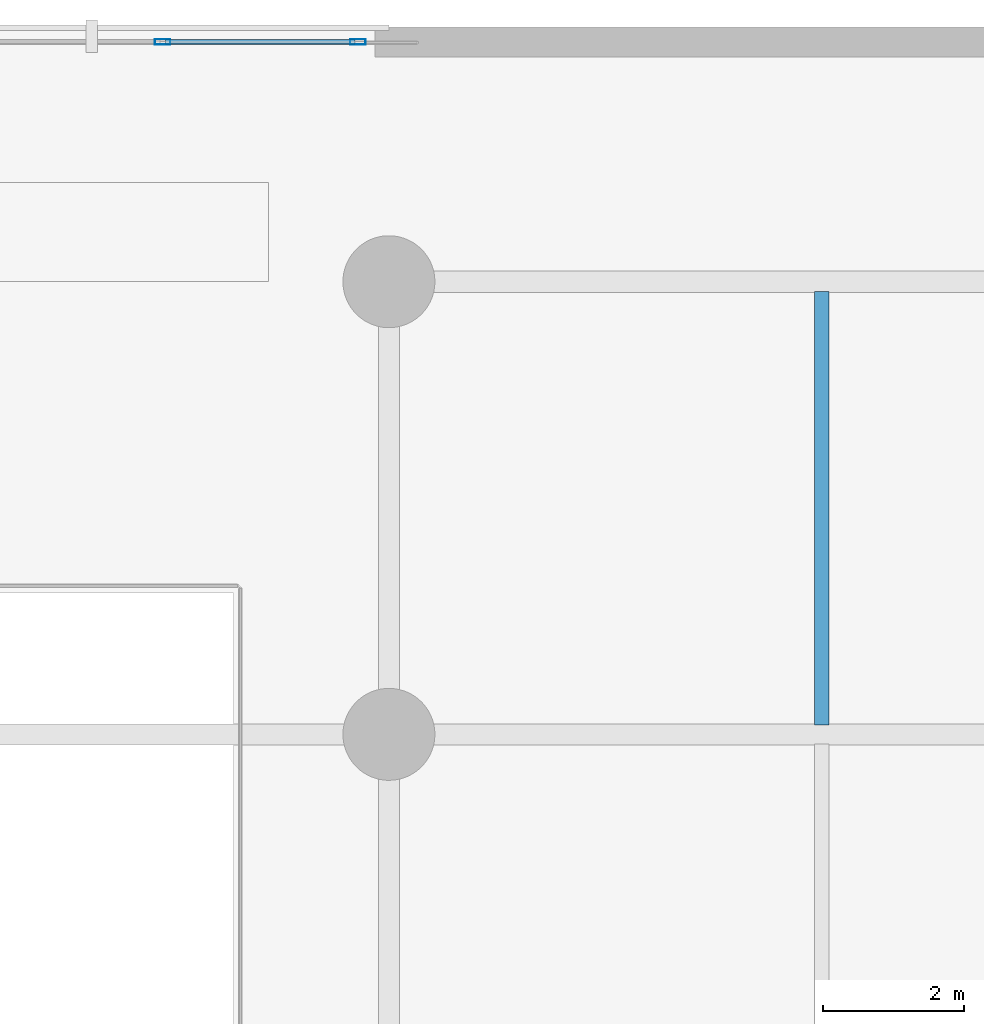
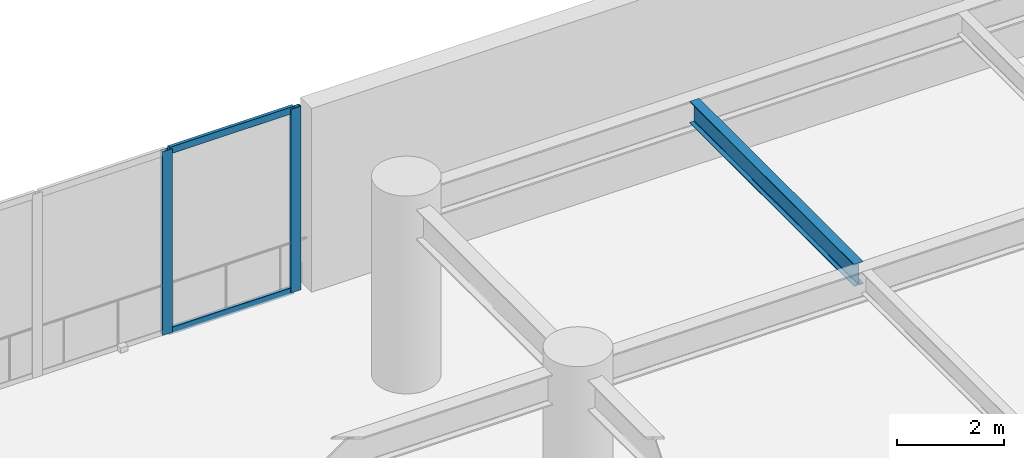
# One storey, part 9 of 32: 4 members, 1 beam, 1 element without a shape of its own.
"""IFC4 building model written with IfcOpenShell, lengths in metres."""

from ifc_helpers import new_model, si_unit, direction, frame, origin, origin_2d, place, context, subcontext, project, spatial, hollow_rectangle, i_section, extrude, material, material_profile, profile_set, type_object, element, aggregate, save


model = new_model("IFC4")

# Units and contexts
model_context = context("Model", 3, precision=1e-05, world=origin(), true_north=direction((0.0, 1.0)))
body_context = subcontext(model_context, "Body", "Model", "MODEL_VIEW")
ifc_project = project(units=[si_unit("LENGTHUNIT", "METRE"), si_unit("AREAUNIT", "SQUARE_METRE"), si_unit("VOLUMEUNIT", "CUBIC_METRE"), si_unit("PLANEANGLEUNIT", "RADIAN"), si_unit("MASSUNIT", "GRAM", prefix="KILO")], contexts=[model_context])

# Site, building, storey
site_placement = place(None, origin())
site = spatial("IfcSite", under=ifc_project, at=site_placement, CompositionType="ELEMENT")
building_placement = place(site_placement, origin())
building = spatial("IfcBuilding", under=site, at=building_placement, Name="Narakoshi Arena Tower", CompositionType="ELEMENT")
storey_placement = place(building_placement, frame((0.0, 0.0, 4.5)))
storey = spatial("IfcBuildingStorey", under=building, at=storey_placement, Name="L01", CompositionType="ELEMENT", Elevation=4.5)

# Beam
ifc_material_1 = material(Name="Structural steel S355J2", Category="steel")
ifc_material_profile_1 = material_profile(ifc_material_1, i_section(OverallWidth=0.199951171875, OverallDepth=0.5, WebThickness=0.01025390625, FlangeThickness=0.01611328125, FilletRadius=0.02099609375, at=origin_2d()), Name="IPE500")
ifc_profile_set_1 = profile_set([ifc_material_profile_1], Name="Structural steel S355J2")
beam_type = type_object("IfcBeamType", Name="BM-SEC-500", PredefinedType="JOIST", material=ifc_profile_set_1)
beam_placement = place(storey_placement, frame((76.320068359375, 86.135009765625, 3.929931640625), z_axis=(0.0, 1.0, 0.0), x_axis=(-1.0, 0.0, 0.0)))
element("IfcBeam", 1, at=beam_placement, inside=storey, type_object=beam_type, Name="L01 Podium Composite Floor Joist 025", PredefinedType="JOIST", context=body_context, shape_type="SweptSolid", body=[
    extrude(i_section(OverallWidth=0.199951171875, OverallDepth=0.5, WebThickness=0.01025390625, FlangeThickness=0.01611328125, FilletRadius=0.02099609375, at=origin_2d()), origin(), (0.0, 0.0, 1.0), 6.1298828125),
])

# Curtain wall, members
ifc_material_2 = material(Name="Anodised bronze aluminium 6063-T6", Category="aluminium")
curtain_wall_type = type_object("IfcCurtainWallType", Name="CW-POD-CONC", PredefinedType="NOTDEFINED", material=ifc_material_2)
curtain_wall_placement = place(storey_placement, origin())
curtain_wall = element("IfcCurtainWall", 2, at=curtain_wall_placement, inside=storey, type_object=curtain_wall_type, Name="L01 Street Concourse Curtain Wall CN1", PredefinedType="NOTDEFINED")
ifc_material_profile_2 = material_profile(ifc_material_2, hollow_rectangle(XDim=0.080078125, YDim=0.219970703125, WallThickness=0.0048828125, OuterFilletRadius=0.006103515625, at=origin_2d()), Name="MUL220x80x5")
ifc_profile_set_2 = profile_set([ifc_material_profile_2], Name="Anodised bronze aluminium 6063-T6")
member_type_1 = type_object("IfcMemberType", Name="MEM-MUL-220", PredefinedType="MULLION", material=ifc_profile_set_2)
member_1_placement = place(storey_placement, frame((69.760009765625, 95.7900390625, 0.0), z_axis=(0.0, 0.0, 1.0), x_axis=(0.0, -1.0, 0.0)))
member_1 = element("IfcMember", 3, at=member_1_placement, type_object=member_type_1, Name="CW-04 mullion 1", PredefinedType="MULLION", context=body_context, shape_type="SweptSolid", body=[
    extrude(hollow_rectangle(XDim=0.080078125, YDim=0.219970703125, WallThickness=0.0048828125, OuterFilletRadius=0.006103515625, at=origin_2d()), origin(), (0.0, 0.0, 1.0), 4.179931640625),
])
member_2_placement = place(storey_placement, frame((67.0, 95.7900390625, 0.0), z_axis=(0.0, 0.0, 1.0), x_axis=(0.0, -1.0, 0.0)))
member_2 = element("IfcMember", 4, at=member_2_placement, type_object=member_type_1, Name="CW-04 mullion 2", PredefinedType="MULLION", context=body_context, shape_type="SweptSolid", body=[
    extrude(hollow_rectangle(XDim=0.080078125, YDim=0.219970703125, WallThickness=0.0048828125, OuterFilletRadius=0.006103515625, at=origin_2d()), origin(), (0.0, 0.0, 1.0), 4.179931640625),
])
ifc_material_profile_3 = material_profile(ifc_material_2, hollow_rectangle(XDim=0.070068359375, YDim=0.159912109375, WallThickness=0.00390625, OuterFilletRadius=0.0048828125, at=origin_2d()), Name="TRN160x70x4")
ifc_profile_set_3 = profile_set([ifc_material_profile_3], Name="Anodised bronze aluminium 6063-T6")
member_type_2 = type_object("IfcMemberType", Name="MEM-TRN-160", PredefinedType="USERDEFINED", material=ifc_profile_set_3)
member_3_placement = place(storey_placement, frame((69.719970703125, 95.7900390625, 0.034912109375), z_axis=(-1.0, 0.0, 0.0), x_axis=(0.0, -1.0, 0.0)))
member_3 = element("IfcMember", 5, at=member_3_placement, type_object=member_type_2, Name="CW-04 transom 1.1", ObjectType="TRANSOM", PredefinedType="USERDEFINED", context=body_context, shape_type="SweptSolid", body=[
    extrude(hollow_rectangle(XDim=0.070068359375, YDim=0.159912109375, WallThickness=0.00390625, OuterFilletRadius=0.0048828125, at=origin_2d()), origin(), (0.0, 0.0, 1.0), 2.679931640625),
])
member_4_placement = place(storey_placement, frame((69.719970703125, 95.7900390625, 4.14501953125), z_axis=(-1.0, 0.0, 0.0), x_axis=(0.0, -1.0, 0.0)))
member_4 = element("IfcMember", 6, at=member_4_placement, type_object=member_type_2, Name="CW-04 transom 1.2", ObjectType="TRANSOM", PredefinedType="USERDEFINED", context=body_context, shape_type="SweptSolid", body=[
    extrude(hollow_rectangle(XDim=0.070068359375, YDim=0.159912109375, WallThickness=0.00390625, OuterFilletRadius=0.0048828125, at=origin_2d()), origin(), (0.0, 0.0, 1.0), 2.679931640625),
])
aggregate(curtain_wall, [member_1, member_2, member_3, member_4])

save(model, "model.ifc")
